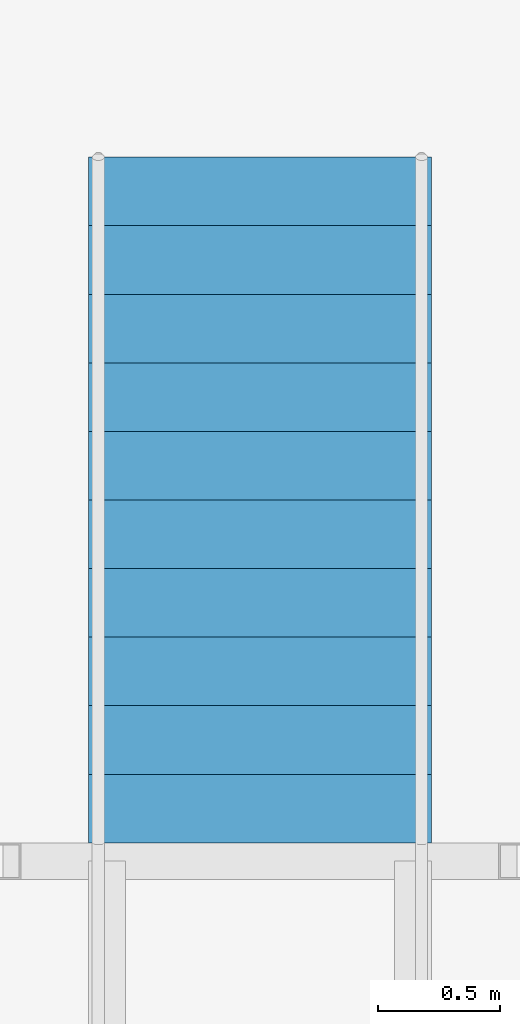
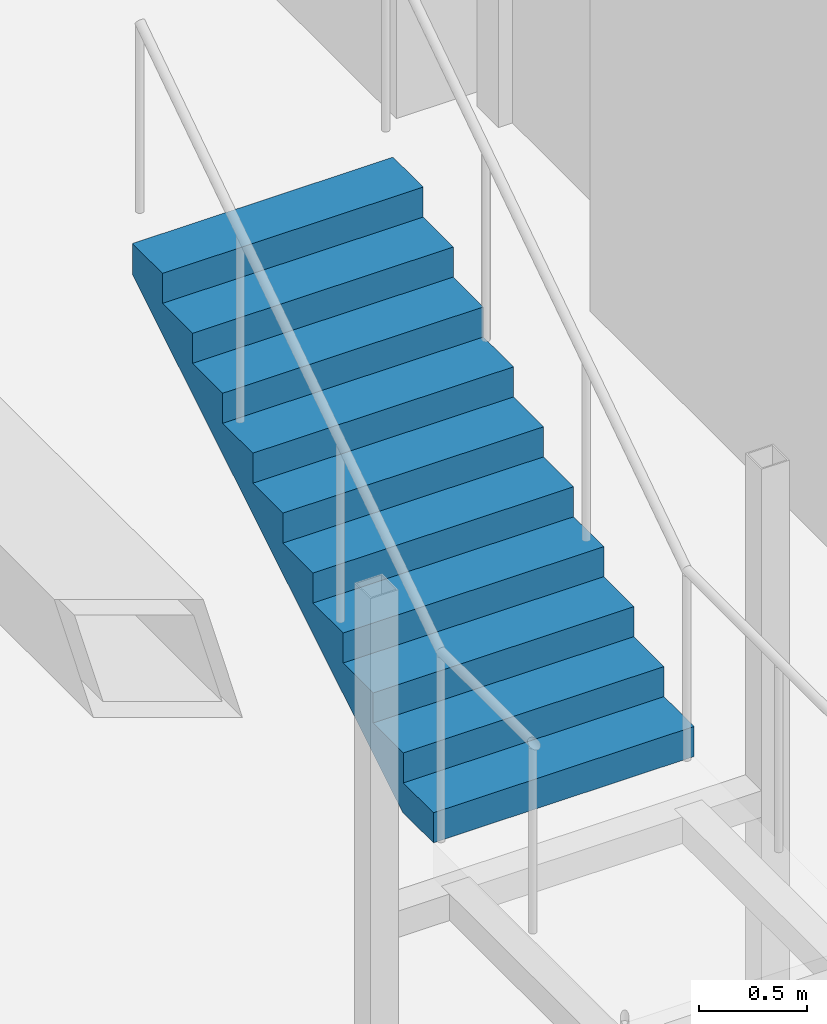
# One storey, part 24 of 25: 1 stair flight, 1 element without a shape of its own.
"""IFC4 building model written with IfcOpenShell, lengths in metres."""

from ifc_helpers import new_model, si_unit, direction, frame, origin, place, context, subcontext, project, spatial, triangles, material, type_object, element, aggregate, save


model = new_model("IFC4")

# Units and contexts
model_context = context("Model", 3, precision=1e-05, world=origin(), true_north=direction((0.0, 1.0)))
body_context = subcontext(model_context, "Body", "Model", "MODEL_VIEW")
ifc_project = project(units=[si_unit("LENGTHUNIT", "METRE"), si_unit("AREAUNIT", "SQUARE_METRE"), si_unit("VOLUMEUNIT", "CUBIC_METRE"), si_unit("PLANEANGLEUNIT", "RADIAN"), si_unit("MASSUNIT", "GRAM", prefix="KILO")], contexts=[model_context])

# Site, building, storey
site_placement = place(None, origin())
site = spatial("IfcSite", under=ifc_project, at=site_placement, CompositionType="ELEMENT")
building_placement = place(site_placement, origin())
building = spatial("IfcBuilding", under=site, at=building_placement, Name="Orbita Commons", CompositionType="ELEMENT")
storey_placement = place(building_placement, frame((0.0, 0.0, 99.39990234375)))
storey = spatial("IfcBuildingStorey", under=building, at=storey_placement, Name="L24", CompositionType="ELEMENT", Elevation=99.39990234375)

# Stair, stair flight
ifc_material_1 = material(Name="Steel ASTM A992 stringers, precast concrete C40/50 terrazzo treads", Category="concrete")
stair_type = type_object("IfcStairType", Name="Feature stair 22 risers 170 x 280 x 1400", PredefinedType="STRAIGHT_RUN_STAIR", material=ifc_material_1)
stair_placement = place(storey_placement, origin())
stair = element("IfcStair", 1, at=stair_placement, inside=storey, type_object=stair_type, Name="Neighbourhood stair L24 to L25", PredefinedType="STRAIGHT_RUN_STAIR")
ifc_material_2 = material(Name="Steel ASTM A992 stringers, precast concrete C40/50 terrazzo treads", Category="concrete")
stair_flight_type = type_object("IfcStairFlightType", Name="Feature stair flight 11 risers 170 x 1400", PredefinedType="STRAIGHT", material=ifc_material_2)
stair_flight_placement = place(storey_placement, frame((8.10009765625, 42.31005859375, 1.875), z_axis=(0.0, 0.0, 1.0), x_axis=(0.0, 1.0, 0.0)))
stair_flight = element("IfcStairFlight", 2, at=stair_flight_placement, type_object=stair_flight_type, Name="FS flight 2", NumberOfRisers=11, NumberOfTreads=10, PredefinedType="STRAIGHT", RiserHeight=0.170454545, TreadLength=0.28, context=body_context, shape_type="Tessellation", body=[
    triangles([(0.0, 0.699951, 0.0), (0.0, 0.699951, 0.021307), (0.0, 0.583293, 0.021307), (0.0, 0.583293, 0.0), (0.0, 0.466634, 0.021307), (0.0, 0.466634, 0.0), (0.0, 0.349976, 0.021307), (0.0, 0.349976, 0.0), (0.0, 0.233317, 0.021307), (0.0, 0.233317, 0.0), (0.0, 0.116659, 0.021307), (0.0, 0.116659, 0.0), (0.0, 0.0, 0.021307), (0.0, 0.0, 0.0), (0.0, -0.116659, 0.021307), (0.0, -0.116659, 0.0), (0.0, -0.233317, 0.021307), (0.0, -0.233317, 0.0), (0.0, -0.349976, 0.021307), (0.0, -0.349976, 0.0), (0.0, -0.466634, 0.021307), (0.0, -0.466634, 0.0), (0.0, -0.583293, 0.021307), (0.0, -0.583293, 0.0), (0.0, -0.699951, 0.021307), (0.0, -0.699951, 0.0), (0.0, 0.699951, 0.042614), (0.0, 0.583293, 0.042614), (0.0, 0.466634, 0.042614), (0.0, 0.349976, 0.042614), (0.0, 0.233317, 0.042614), (0.0, 0.116659, 0.042614), (0.0, 0.0, 0.042614), (0.0, -0.116659, 0.042614), (0.0, -0.233317, 0.042614), (0.0, -0.349976, 0.042614), (0.0, -0.466634, 0.042614), (0.0, -0.583293, 0.042614), (0.0, -0.699951, 0.042614), (0.0, 0.699951, 0.06392), (0.0, 0.583293, 0.06392), (0.0, 0.466634, 0.06392), (0.0, 0.349976, 0.06392), (0.0, 0.233317, 0.06392), (0.0, 0.116659, 0.06392), (0.0, 0.0, 0.06392), (0.0, -0.116659, 0.06392), (0.0, -0.233317, 0.06392), (0.0, -0.349976, 0.06392), (0.0, -0.466634, 0.06392), (0.0, -0.583293, 0.06392), (0.0, -0.699951, 0.06392), (0.0, 0.699951, 0.085227), (0.0, 0.583293, 0.085227), (0.0, 0.466634, 0.085227), (0.0, 0.349976, 0.085227), (0.0, 0.233317, 0.085227), (0.0, 0.116659, 0.085227), (0.0, 0.0, 0.085227), (0.0, -0.116659, 0.085227), (0.0, -0.233317, 0.085227), (0.0, -0.349976, 0.085227), (0.0, -0.466634, 0.085227), (0.0, -0.583293, 0.085227), (0.0, -0.699951, 0.085227), (0.0, 0.699951, 0.106534), (0.0, 0.583293, 0.106534), (0.0, 0.466634, 0.106534), (0.0, 0.349976, 0.106534), (0.0, 0.233317, 0.106534), (0.0, 0.116659, 0.106534), (0.0, 0.0, 0.106534), (0.0, -0.116659, 0.106534), (0.0, -0.233317, 0.106534), (0.0, -0.349976, 0.106534), (0.0, -0.466634, 0.106534), (0.0, -0.583293, 0.106534), (0.0, -0.699951, 0.106534), (0.0, 0.699951, 0.127841), (0.0, 0.583293, 0.127841), (0.0, 0.466634, 0.127841), (0.0, 0.349976, 0.127841), (0.0, 0.233317, 0.127841), (0.0, 0.116659, 0.127841), (0.0, 0.0, 0.127841), (0.0, -0.116659, 0.127841), (0.0, -0.233317, 0.127841), (0.0, -0.349976, 0.127841), (0.0, -0.466634, 0.127841), (0.0, -0.583293, 0.127841), (0.0, -0.699951, 0.127841), (0.0, 0.699951, 0.149148), (0.0, 0.583293, 0.149148), (0.0, 0.466634, 0.149148), (0.0, 0.349976, 0.149148), (0.0, 0.233317, 0.149148), (0.0, 0.116659, 0.149148), (0.0, 0.0, 0.149148), (0.0, -0.116659, 0.149148), (0.0, -0.233317, 0.149148), (0.0, -0.349976, 0.149148), (0.0, -0.466634, 0.149148), (0.0, -0.583293, 0.149148), (0.0, -0.699951, 0.149148), (0.0, 0.699951, 0.170455), (0.0, 0.583293, 0.170455), (0.0, 0.466634, 0.170455), (0.0, 0.349976, 0.170455), (0.0, 0.233317, 0.170455), (0.0, 0.116659, 0.170455), (0.0, 0.0, 0.170455), (0.0, -0.116659, 0.170455), (0.0, -0.233317, 0.170455), (0.0, -0.349976, 0.170455), (0.0, -0.466634, 0.170455), (0.0, -0.583293, 0.170455), (0.0, -0.699951, 0.170455), (0.28, 0.699951, 0.170455), (0.28, 0.583293, 0.170455), (0.28, 0.466634, 0.170455), (0.28, 0.349976, 0.170455), (0.28, 0.233317, 0.170455), (0.28, 0.116659, 0.170455), (0.28, 0.0, 0.170455), (0.28, -0.116659, 0.170455), (0.28, -0.233317, 0.170455), (0.28, -0.349976, 0.170455), (0.28, -0.466634, 0.170455), (0.28, -0.583293, 0.170455), (0.28, -0.699951, 0.170455), (0.28, 0.699951, 0.340909), (0.28, 0.583293, 0.340909), (0.28, 0.466634, 0.340909), (0.28, 0.349976, 0.340909), (0.28, 0.233317, 0.340909), (0.28, 0.116659, 0.340909), (0.28, 0.0, 0.340909), (0.28, -0.116659, 0.340909), (0.28, -0.233317, 0.340909), (0.28, -0.349976, 0.340909), (0.28, -0.466634, 0.340909), (0.28, -0.583293, 0.340909), (0.28, -0.699951, 0.340909), (0.56, 0.699951, 0.340909), (0.56, 0.583293, 0.340909), (0.56, 0.466634, 0.340909), (0.56, 0.349976, 0.340909), (0.56, 0.233317, 0.340909), (0.56, 0.116659, 0.340909), (0.56, 0.0, 0.340909), (0.56, -0.116659, 0.340909), (0.56, -0.233317, 0.340909), (0.56, -0.349976, 0.340909), (0.56, -0.466634, 0.340909), (0.56, -0.583293, 0.340909), (0.56, -0.699951, 0.340909), (0.56, 0.699951, 0.511364), (0.56, 0.583293, 0.511364), (0.56, 0.466634, 0.511364), (0.56, 0.349976, 0.511364), (0.56, 0.233317, 0.511364), (0.56, 0.116659, 0.511364), (0.56, 0.0, 0.511364), (0.56, -0.116659, 0.511364), (0.56, -0.233317, 0.511364), (0.56, -0.349976, 0.511364), (0.56, -0.466634, 0.511364), (0.56, -0.583293, 0.511364), (0.56, -0.699951, 0.511364), (0.84, 0.699951, 0.511364), (0.84, 0.583293, 0.511364), (0.84, 0.466634, 0.511364), (0.84, 0.349976, 0.511364), (0.84, 0.233317, 0.511364), (0.84, 0.116659, 0.511364), (0.84, 0.0, 0.511364), (0.84, -0.116659, 0.511364), (0.84, -0.233317, 0.511364), (0.84, -0.349976, 0.511364), (0.84, -0.466634, 0.511364), (0.84, -0.583293, 0.511364), (0.84, -0.699951, 0.511364), (0.84, 0.699951, 0.681818), (0.84, 0.583293, 0.681818), (0.84, 0.466634, 0.681818), (0.84, 0.349976, 0.681818), (0.84, 0.233317, 0.681818), (0.84, 0.116659, 0.681818), (0.84, 0.0, 0.681818), (0.84, -0.116659, 0.681818), (0.84, -0.233317, 0.681818), (0.84, -0.349976, 0.681818), (0.84, -0.466634, 0.681818), (0.84, -0.583293, 0.681818), (0.84, -0.699951, 0.681818), (1.12, 0.699951, 0.681818), (1.12, 0.583293, 0.681818), (1.12, 0.466634, 0.681818), (1.12, 0.349976, 0.681818), (1.12, 0.233317, 0.681818), (1.12, 0.116659, 0.681818), (1.12, 0.0, 0.681818), (1.12, -0.116659, 0.681818), (1.12, -0.233317, 0.681818), (1.12, -0.349976, 0.681818), (1.12, -0.466634, 0.681818), (1.12, -0.583293, 0.681818), (1.12, -0.699951, 0.681818), (1.12, 0.699951, 0.852273), (1.12, 0.583293, 0.852273), (1.12, 0.466634, 0.852273), (1.12, 0.349976, 0.852273), (1.12, 0.233317, 0.852273), (1.12, 0.116659, 0.852273), (1.12, 0.0, 0.852273), (1.12, -0.116659, 0.852273), (1.12, -0.233317, 0.852273), (1.12, -0.349976, 0.852273), (1.12, -0.466634, 0.852273), (1.12, -0.583293, 0.852273), (1.12, -0.699951, 0.852273), (1.4, 0.699951, 0.852273), (1.4, 0.583293, 0.852273), (1.4, 0.466634, 0.852273), (1.4, 0.349976, 0.852273), (1.4, 0.233317, 0.852273), (1.4, 0.116659, 0.852273), (1.4, 0.0, 0.852273), (1.4, -0.116659, 0.852273), (1.4, -0.233317, 0.852273), (1.4, -0.349976, 0.852273), (1.4, -0.466634, 0.852273), (1.4, -0.583293, 0.852273), (1.4, -0.699951, 0.852273), (1.4, 0.699951, 1.022727), (1.4, 0.583293, 1.022727), (1.4, 0.466634, 1.022727), (1.4, 0.349976, 1.022727), (1.4, 0.233317, 1.022727), (1.4, 0.116659, 1.022727), (1.4, 0.0, 1.022727), (1.4, -0.116659, 1.022727), (1.4, -0.233317, 1.022727), (1.4, -0.349976, 1.022727), (1.4, -0.466634, 1.022727), (1.4, -0.583293, 1.022727), (1.4, -0.699951, 1.022727), (1.68, 0.699951, 1.022727), (1.68, 0.583293, 1.022727), (1.68, 0.466634, 1.022727), (1.68, 0.349976, 1.022727), (1.68, 0.233317, 1.022727), (1.68, 0.116659, 1.022727), (1.68, 0.0, 1.022727), (1.68, -0.116659, 1.022727), (1.68, -0.233317, 1.022727), (1.68, -0.349976, 1.022727), (1.68, -0.466634, 1.022727), (1.68, -0.583293, 1.022727), (1.68, -0.699951, 1.022727), (1.68, 0.699951, 1.193182), (1.68, 0.583293, 1.193182), (1.68, 0.466634, 1.193182), (1.68, 0.349976, 1.193182), (1.68, 0.233317, 1.193182), (1.68, 0.116659, 1.193182), (1.68, 0.0, 1.193182), (1.68, -0.116659, 1.193182), (1.68, -0.233317, 1.193182), (1.68, -0.349976, 1.193182), (1.68, -0.466634, 1.193182), (1.68, -0.583293, 1.193182), (1.68, -0.699951, 1.193182), (1.96, 0.699951, 1.193182), (1.96, 0.583293, 1.193182), (1.96, 0.466634, 1.193182), (1.96, 0.349976, 1.193182), (1.96, 0.233317, 1.193182), (1.96, 0.116659, 1.193182), (1.96, 0.0, 1.193182), (1.96, -0.116659, 1.193182), (1.96, -0.233317, 1.193182), (1.96, -0.349976, 1.193182), (1.96, -0.466634, 1.193182), (1.96, -0.583293, 1.193182), (1.96, -0.699951, 1.193182), (1.96, 0.699951, 1.363636), (1.96, 0.583293, 1.363636), (1.96, 0.466634, 1.363636), (1.96, 0.349976, 1.363636), (1.96, 0.233317, 1.363636), (1.96, 0.116659, 1.363636), (1.96, 0.0, 1.363636), (1.96, -0.116659, 1.363636), (1.96, -0.233317, 1.363636), (1.96, -0.349976, 1.363636), (1.96, -0.466634, 1.363636), (1.96, -0.583293, 1.363636), (1.96, -0.699951, 1.363636), (2.24, 0.699951, 1.363636), (2.24, 0.583293, 1.363636), (2.24, 0.466634, 1.363636), (2.24, 0.349976, 1.363636), (2.24, 0.233317, 1.363636), (2.24, 0.116659, 1.363636), (2.24, 0.0, 1.363636), (2.24, -0.116659, 1.363636), (2.24, -0.233317, 1.363636), (2.24, -0.349976, 1.363636), (2.24, -0.466634, 1.363636), (2.24, -0.583293, 1.363636), (2.24, -0.699951, 1.363636), (2.24, 0.699951, 1.534091), (2.24, 0.583293, 1.534091), (2.24, 0.466634, 1.534091), (2.24, 0.349976, 1.534091), (2.24, 0.233317, 1.534091), (2.24, 0.116659, 1.534091), (2.24, 0.0, 1.534091), (2.24, -0.116659, 1.534091), (2.24, -0.233317, 1.534091), (2.24, -0.349976, 1.534091), (2.24, -0.466634, 1.534091), (2.24, -0.583293, 1.534091), (2.24, -0.699951, 1.534091), (2.52, 0.699951, 1.534091), (2.52, 0.583293, 1.534091), (2.52, 0.466634, 1.534091), (2.52, 0.349976, 1.534091), (2.52, 0.233317, 1.534091), (2.52, 0.116659, 1.534091), (2.52, 0.0, 1.534091), (2.52, -0.116659, 1.534091), (2.52, -0.233317, 1.534091), (2.52, -0.349976, 1.534091), (2.52, -0.466634, 1.534091), (2.52, -0.583293, 1.534091), (2.52, -0.699951, 1.534091), (2.52, 0.699951, 1.704545), (2.52, 0.583293, 1.704545), (2.52, 0.466634, 1.704545), (2.52, 0.349976, 1.704545), (2.52, 0.233317, 1.704545), (2.52, 0.116659, 1.704545), (2.52, 0.0, 1.704545), (2.52, -0.116659, 1.704545), (2.52, -0.233317, 1.704545), (2.52, -0.349976, 1.704545), (2.52, -0.466634, 1.704545), (2.52, -0.583293, 1.704545), (2.52, -0.699951, 1.704545), (2.8, 0.699951, 1.704545), (2.8, 0.583293, 1.704545), (2.8, 0.466634, 1.704545), (2.8, 0.349976, 1.704545), (2.8, 0.233317, 1.704545), (2.8, 0.116659, 1.704545), (2.8, 0.0, 1.704545), (2.8, -0.116659, 1.704545), (2.8, -0.233317, 1.704545), (2.8, -0.349976, 1.704545), (2.8, -0.466634, 1.704545), (2.8, -0.583293, 1.704545), (2.8, -0.699951, 1.704545), (2.8, 0.699951, 1.682609), (2.8, 0.583293, 1.682609), (2.8, 0.466634, 1.682609), (2.8, 0.349976, 1.682609), (2.8, 0.233317, 1.682609), (2.8, 0.116659, 1.682609), (2.8, 0.0, 1.682609), (2.8, -0.116659, 1.682609), (2.8, -0.233317, 1.682609), (2.8, -0.349976, 1.682609), (2.8, -0.466634, 1.682609), (2.8, -0.583293, 1.682609), (2.8, -0.699951, 1.682609), (2.8, 0.699951, 1.660672), (2.8, 0.583293, 1.660672), (2.8, 0.466634, 1.660672), (2.8, 0.349976, 1.660672), (2.8, 0.233317, 1.660672), (2.8, 0.116659, 1.660672), (2.8, 0.0, 1.660672), (2.8, -0.116659, 1.660672), (2.8, -0.233317, 1.660672), (2.8, -0.349976, 1.660672), (2.8, -0.466634, 1.660672), (2.8, -0.583293, 1.660672), (2.8, -0.699951, 1.660672), (2.8, 0.699951, 1.638735), (2.8, 0.583293, 1.638735), (2.8, 0.466634, 1.638735), (2.8, 0.349976, 1.638735), (2.8, 0.233317, 1.638735), (2.8, 0.116659, 1.638735), (2.8, 0.0, 1.638735), (2.8, -0.116659, 1.638735), (2.8, -0.233317, 1.638735), (2.8, -0.349976, 1.638735), (2.8, -0.466634, 1.638735), (2.8, -0.583293, 1.638735), (2.8, -0.699951, 1.638735), (2.8, 0.699951, 1.616798), (2.8, 0.583293, 1.616798), (2.8, 0.466634, 1.616798), (2.8, 0.349976, 1.616798), (2.8, 0.233317, 1.616798), (2.8, 0.116659, 1.616798), (2.8, 0.0, 1.616798), (2.8, -0.116659, 1.616798), (2.8, -0.233317, 1.616798), (2.8, -0.349976, 1.616798), (2.8, -0.466634, 1.616798), (2.8, -0.583293, 1.616798), (2.8, -0.699951, 1.616798), (2.8, 0.699951, 1.594861), (2.8, 0.583293, 1.594861), (2.8, 0.466634, 1.594861), (2.8, 0.349976, 1.594861), (2.8, 0.233317, 1.594861), (2.8, 0.116659, 1.594861), (2.8, 0.0, 1.594861), (2.8, -0.116659, 1.594861), (2.8, -0.233317, 1.594861), (2.8, -0.349976, 1.594861), (2.8, -0.466634, 1.594861), (2.8, -0.583293, 1.594861), (2.8, -0.699951, 1.594861), (2.8, 0.699951, 1.572925), (2.8, 0.583293, 1.572925), (2.8, 0.466634, 1.572925), (2.8, 0.349976, 1.572925), (2.8, 0.233317, 1.572925), (2.8, 0.116659, 1.572925), (2.8, 0.0, 1.572925), (2.8, -0.116659, 1.572925), (2.8, -0.233317, 1.572925), (2.8, -0.349976, 1.572925), (2.8, -0.466634, 1.572925), (2.8, -0.583293, 1.572925), (2.8, -0.699951, 1.572925), (2.8, 0.699951, 1.550988), (2.8, 0.583293, 1.550988), (2.8, 0.466634, 1.550988), (2.8, 0.349976, 1.550988), (2.8, 0.233317, 1.550988), (2.8, 0.116659, 1.550988), (2.8, 0.0, 1.550988), (2.8, -0.116659, 1.550988), (2.8, -0.233317, 1.550988), (2.8, -0.349976, 1.550988), (2.8, -0.466634, 1.550988), (2.8, -0.583293, 1.550988), (2.8, -0.699951, 1.550988), (2.8, 0.699951, 1.529051), (2.8, 0.583293, 1.529051), (2.8, 0.466634, 1.529051), (2.8, 0.349976, 1.529051), (2.8, 0.233317, 1.529051), (2.8, 0.116659, 1.529051), (2.8, 0.0, 1.529051), (2.8, -0.116659, 1.529051), (2.8, -0.233317, 1.529051), (2.8, -0.349976, 1.529051), (2.8, -0.466634, 1.529051), (2.8, -0.583293, 1.529051), (2.8, -0.699951, 1.529051), (0.288279, 0.699951, 0.0), (0.288279, 0.583293, 0.0), (0.288279, 0.466634, 0.0), (0.288279, 0.349976, 0.0), (0.288279, 0.233317, 0.0), (0.288279, 0.116659, 0.0), (0.288279, 0.0, 0.0), (0.288279, -0.116659, 0.0), (0.288279, -0.233317, 0.0), (0.288279, -0.349976, 0.0), (0.288279, -0.466634, 0.0), (0.288279, -0.583293, 0.0), (0.288279, -0.699951, 0.0)], [[3, 2, 1], [4, 3, 1], [5, 3, 4], [6, 5, 4], [7, 5, 6], [8, 7, 6], [9, 7, 8], [10, 9, 8], [11, 9, 10], [12, 11, 10], [13, 11, 12], [14, 13, 12], [15, 13, 14], [16, 15, 14], [17, 15, 16], [18, 17, 16], [19, 17, 18], [20, 19, 18], [21, 19, 20], [22, 21, 20], [23, 21, 22], [24, 23, 22], [25, 23, 24], [26, 25, 24], [28, 27, 2], [3, 28, 2], [29, 28, 3], [5, 29, 3], [30, 29, 5], [7, 30, 5], [31, 30, 7], [9, 31, 7], [32, 31, 9], [11, 32, 9], [33, 32, 11], [13, 33, 11], [34, 33, 13], [15, 34, 13], [35, 34, 15], [17, 35, 15], [36, 35, 17], [19, 36, 17], [37, 36, 19], [21, 37, 19], [38, 37, 21], [23, 38, 21], [39, 38, 23], [25, 39, 23], [41, 40, 27], [28, 41, 27], [42, 41, 28], [29, 42, 28], [43, 42, 29], [30, 43, 29], [44, 43, 30], [31, 44, 30], [45, 44, 31], [32, 45, 31], [46, 45, 32], [33, 46, 32], [47, 46, 33], [34, 47, 33], [48, 47, 34], [35, 48, 34], [49, 48, 35], [36, 49, 35], [50, 49, 36], [37, 50, 36], [51, 50, 37], [38, 51, 37], [52, 51, 38], [39, 52, 38], [54, 53, 40], [41, 54, 40], [55, 54, 41], [42, 55, 41], [56, 55, 42], [43, 56, 42], [57, 56, 43], [44, 57, 43], [58, 57, 44], [45, 58, 44], [59, 58, 45], [46, 59, 45], [60, 59, 46], [47, 60, 46], [61, 60, 47], [48, 61, 47], [62, 61, 48], [49, 62, 48], [63, 62, 49], [50, 63, 49], [64, 63, 50], [51, 64, 50], [65, 64, 51], [52, 65, 51], [67, 66, 53], [54, 67, 53], [68, 67, 54], [55, 68, 54], [69, 68, 55], [56, 69, 55], [70, 69, 56], [57, 70, 56], [71, 70, 57], [58, 71, 57], [72, 71, 58], [59, 72, 58], [73, 72, 59], [60, 73, 59], [74, 73, 60], [61, 74, 60], [75, 74, 61], [62, 75, 61], [76, 75, 62], [63, 76, 62], [77, 76, 63], [64, 77, 63], [78, 77, 64], [65, 78, 64], [80, 79, 66], [67, 80, 66], [81, 80, 67], [68, 81, 67], [82, 81, 68], [69, 82, 68], [83, 82, 69], [70, 83, 69], [84, 83, 70], [71, 84, 70], [85, 84, 71], [72, 85, 71], [86, 85, 72], [73, 86, 72], [87, 86, 73], [74, 87, 73], [88, 87, 74], [75, 88, 74], [89, 88, 75], [76, 89, 75], [90, 89, 76], [77, 90, 76], [91, 90, 77], [78, 91, 77], [93, 92, 79], [80, 93, 79], [94, 93, 80], [81, 94, 80], [95, 94, 81], [82, 95, 81], [96, 95, 82], [83, 96, 82], [97, 96, 83], [84, 97, 83], [98, 97, 84], [85, 98, 84], [99, 98, 85], [86, 99, 85], [100, 99, 86], [87, 100, 86], [101, 100, 87], [88, 101, 87], [102, 101, 88], [89, 102, 88], [103, 102, 89], [90, 103, 89], [104, 103, 90], [91, 104, 90], [106, 105, 92], [93, 106, 92], [107, 106, 93], [94, 107, 93], [108, 107, 94], [95, 108, 94], [109, 108, 95], [96, 109, 95], [110, 109, 96], [97, 110, 96], [111, 110, 97], [98, 111, 97], [112, 111, 98], [99, 112, 98], [113, 112, 99], [100, 113, 99], [114, 113, 100], [101, 114, 100], [115, 114, 101], [102, 115, 101], [116, 115, 102], [103, 116, 102], [117, 116, 103], [104, 117, 103], [119, 118, 105], [106, 119, 105], [120, 119, 106], [107, 120, 106], [121, 120, 107], [108, 121, 107], [122, 121, 108], [109, 122, 108], [123, 122, 109], [110, 123, 109], [124, 123, 110], [111, 124, 110], [125, 124, 111], [112, 125, 111], [126, 125, 112], [113, 126, 112], [127, 126, 113], [114, 127, 113], [128, 127, 114], [115, 128, 114], [129, 128, 115], [116, 129, 115], [130, 129, 116], [117, 130, 116], [132, 131, 118], [119, 132, 118], [133, 132, 119], [120, 133, 119], [134, 133, 120], [121, 134, 120], [135, 134, 121], [122, 135, 121], [136, 135, 122], [123, 136, 122], [137, 136, 123], [124, 137, 123], [138, 137, 124], [125, 138, 124], [139, 138, 125], [126, 139, 125], [140, 139, 126], [127, 140, 126], [141, 140, 127], [128, 141, 127], [142, 141, 128], [129, 142, 128], [143, 142, 129], [130, 143, 129], [145, 144, 131], [132, 145, 131], [146, 145, 132], [133, 146, 132], [147, 146, 133], [134, 147, 133], [148, 147, 134], [135, 148, 134], [149, 148, 135], [136, 149, 135], [150, 149, 136], [137, 150, 136], [151, 150, 137], [138, 151, 137], [152, 151, 138], [139, 152, 138], [153, 152, 139], [140, 153, 139], [154, 153, 140], [141, 154, 140], [155, 154, 141], [142, 155, 141], [156, 155, 142], [143, 156, 142], [158, 157, 144], [145, 158, 144], [159, 158, 145], [146, 159, 145], [160, 159, 146], [147, 160, 146], [161, 160, 147], [148, 161, 147], [162, 161, 148], [149, 162, 148], [163, 162, 149], [150, 163, 149], [164, 163, 150], [151, 164, 150], [165, 164, 151], [152, 165, 151], [166, 165, 152], [153, 166, 152], [167, 166, 153], [154, 167, 153], [168, 167, 154], [155, 168, 154], [169, 168, 155], [156, 169, 155], [171, 170, 157], [158, 171, 157], [172, 171, 158], [159, 172, 158], [173, 172, 159], [160, 173, 159], [174, 173, 160], [161, 174, 160], [175, 174, 161], [162, 175, 161], [176, 175, 162], [163, 176, 162], [177, 176, 163], [164, 177, 163], [178, 177, 164], [165, 178, 164], [179, 178, 165], [166, 179, 165], [180, 179, 166], [167, 180, 166], [181, 180, 167], [168, 181, 167], [182, 181, 168], [169, 182, 168], [184, 183, 170], [171, 184, 170], [185, 184, 171], [172, 185, 171], [186, 185, 172], [173, 186, 172], [187, 186, 173], [174, 187, 173], [188, 187, 174], [175, 188, 174], [189, 188, 175], [176, 189, 175], [190, 189, 176], [177, 190, 176], [191, 190, 177], [178, 191, 177], [192, 191, 178], [179, 192, 178], [193, 192, 179], [180, 193, 179], [194, 193, 180], [181, 194, 180], [195, 194, 181], [182, 195, 181], [197, 196, 183], [184, 197, 183], [198, 197, 184], [185, 198, 184], [199, 198, 185], [186, 199, 185], [200, 199, 186], [187, 200, 186], [201, 200, 187], [188, 201, 187], [202, 201, 188], [189, 202, 188], [203, 202, 189], [190, 203, 189], [204, 203, 190], [191, 204, 190], [205, 204, 191], [192, 205, 191], [206, 205, 192], [193, 206, 192], [207, 206, 193], [194, 207, 193], [208, 207, 194], [195, 208, 194], [210, 209, 196], [197, 210, 196], [211, 210, 197], [198, 211, 197], [212, 211, 198], [199, 212, 198], [213, 212, 199], [200, 213, 199], [214, 213, 200], [201, 214, 200], [215, 214, 201], [202, 215, 201], [216, 215, 202], [203, 216, 202], [217, 216, 203], [204, 217, 203], [218, 217, 204], [205, 218, 204], [219, 218, 205], [206, 219, 205], [220, 219, 206], [207, 220, 206], [221, 220, 207], [208, 221, 207], [223, 222, 209], [210, 223, 209], [224, 223, 210], [211, 224, 210], [225, 224, 211], [212, 225, 211], [226, 225, 212], [213, 226, 212], [227, 226, 213], [214, 227, 213], [228, 227, 214], [215, 228, 214], [229, 228, 215], [216, 229, 215], [230, 229, 216], [217, 230, 216], [231, 230, 217], [218, 231, 217], [232, 231, 218], [219, 232, 218], [233, 232, 219], [220, 233, 219], [234, 233, 220], [221, 234, 220], [236, 235, 222], [223, 236, 222], [237, 236, 223], [224, 237, 223], [238, 237, 224], [225, 238, 224], [239, 238, 225], [226, 239, 225], [240, 239, 226], [227, 240, 226], [241, 240, 227], [228, 241, 227], [242, 241, 228], [229, 242, 228], [243, 242, 229], [230, 243, 229], [244, 243, 230], [231, 244, 230], [245, 244, 231], [232, 245, 231], [246, 245, 232], [233, 246, 232], [247, 246, 233], [234, 247, 233], [249, 248, 235], [236, 249, 235], [250, 249, 236], [237, 250, 236], [251, 250, 237], [238, 251, 237], [252, 251, 238], [239, 252, 238], [253, 252, 239], [240, 253, 239], [254, 253, 240], [241, 254, 240], [255, 254, 241], [242, 255, 241], [256, 255, 242], [243, 256, 242], [257, 256, 243], [244, 257, 243], [258, 257, 244], [245, 258, 244], [259, 258, 245], [246, 259, 245], [260, 259, 246], [247, 260, 246], [262, 261, 248], [249, 262, 248], [263, 262, 249], [250, 263, 249], [264, 263, 250], [251, 264, 250], [265, 264, 251], [252, 265, 251], [266, 265, 252], [253, 266, 252], [267, 266, 253], [254, 267, 253], [268, 267, 254], [255, 268, 254], [269, 268, 255], [256, 269, 255], [270, 269, 256], [257, 270, 256], [271, 270, 257], [258, 271, 257], [272, 271, 258], [259, 272, 258], [273, 272, 259], [260, 273, 259], [275, 274, 261], [262, 275, 261], [276, 275, 262], [263, 276, 262], [277, 276, 263], [264, 277, 263], [278, 277, 264], [265, 278, 264], [279, 278, 265], [266, 279, 265], [280, 279, 266], [267, 280, 266], [281, 280, 267], [268, 281, 267], [282, 281, 268], [269, 282, 268], [283, 282, 269], [270, 283, 269], [284, 283, 270], [271, 284, 270], [285, 284, 271], [272, 285, 271], [286, 285, 272], [273, 286, 272], [288, 287, 274], [275, 288, 274], [289, 288, 275], [276, 289, 275], [290, 289, 276], [277, 290, 276], [291, 290, 277], [278, 291, 277], [292, 291, 278], [279, 292, 278], [293, 292, 279], [280, 293, 279], [294, 293, 280], [281, 294, 280], [295, 294, 281], [282, 295, 281], [296, 295, 282], [283, 296, 282], [297, 296, 283], [284, 297, 283], [298, 297, 284], [285, 298, 284], [299, 298, 285], [286, 299, 285], [301, 300, 287], [288, 301, 287], [302, 301, 288], [289, 302, 288], [303, 302, 289], [290, 303, 289], [304, 303, 290], [291, 304, 290], [305, 304, 291], [292, 305, 291], [306, 305, 292], [293, 306, 292], [307, 306, 293], [294, 307, 293], [308, 307, 294], [295, 308, 294], [309, 308, 295], [296, 309, 295], [310, 309, 296], [297, 310, 296], [311, 310, 297], [298, 311, 297], [312, 311, 298], [299, 312, 298], [314, 313, 300], [301, 314, 300], [315, 314, 301], [302, 315, 301], [316, 315, 302], [303, 316, 302], [317, 316, 303], [304, 317, 303], [318, 317, 304], [305, 318, 304], [319, 318, 305], [306, 319, 305], [320, 319, 306], [307, 320, 306], [321, 320, 307], [308, 321, 307], [322, 321, 308], [309, 322, 308], [323, 322, 309], [310, 323, 309], [324, 323, 310], [311, 324, 310], [325, 324, 311], [312, 325, 311], [327, 326, 313], [314, 327, 313], [328, 327, 314], [315, 328, 314], [329, 328, 315], [316, 329, 315], [330, 329, 316], [317, 330, 316], [331, 330, 317], [318, 331, 317], [332, 331, 318], [319, 332, 318], [333, 332, 319], [320, 333, 319], [334, 333, 320], [321, 334, 320], [335, 334, 321], [322, 335, 321], [336, 335, 322], [323, 336, 322], [337, 336, 323], [324, 337, 323], [338, 337, 324], [325, 338, 324], [340, 339, 326], [327, 340, 326], [341, 340, 327], [328, 341, 327], [342, 341, 328], [329, 342, 328], [343, 342, 329], [330, 343, 329], [344, 343, 330], [331, 344, 330], [345, 344, 331], [332, 345, 331], [346, 345, 332], [333, 346, 332], [347, 346, 333], [334, 347, 333], [348, 347, 334], [335, 348, 334], [349, 348, 335], [336, 349, 335], [350, 349, 336], [337, 350, 336], [351, 350, 337], [338, 351, 337], [353, 352, 339], [340, 353, 339], [354, 353, 340], [341, 354, 340], [355, 354, 341], [342, 355, 341], [356, 355, 342], [343, 356, 342], [357, 356, 343], [344, 357, 343], [358, 357, 344], [345, 358, 344], [359, 358, 345], [346, 359, 345], [360, 359, 346], [347, 360, 346], [361, 360, 347], [348, 361, 347], [362, 361, 348], [349, 362, 348], [363, 362, 349], [350, 363, 349], [364, 363, 350], [351, 364, 350], [366, 365, 352], [353, 366, 352], [367, 366, 353], [354, 367, 353], [368, 367, 354], [355, 368, 354], [369, 368, 355], [356, 369, 355], [370, 369, 356], [357, 370, 356], [371, 370, 357], [358, 371, 357], [372, 371, 358], [359, 372, 358], [373, 372, 359], [360, 373, 359], [374, 373, 360], [361, 374, 360], [375, 374, 361], [362, 375, 361], [376, 375, 362], [363, 376, 362], [377, 376, 363], [364, 377, 363], [379, 378, 365], [366, 379, 365], [380, 379, 366], [367, 380, 366], [381, 380, 367], [368, 381, 367], [382, 381, 368], [369, 382, 368], [383, 382, 369], [370, 383, 369], [384, 383, 370], [371, 384, 370], [385, 384, 371], [372, 385, 371], [386, 385, 372], [373, 386, 372], [387, 386, 373], [374, 387, 373], [388, 387, 374], [375, 388, 374], [389, 388, 375], [376, 389, 375], [390, 389, 376], [377, 390, 376], [392, 391, 378], [379, 392, 378], [393, 392, 379], [380, 393, 379], [394, 393, 380], [381, 394, 380], [395, 394, 381], [382, 395, 381], [396, 395, 382], [383, 396, 382], [397, 396, 383], [384, 397, 383], [398, 397, 384], [385, 398, 384], [399, 398, 385], [386, 399, 385], [400, 399, 386], [387, 400, 386], [401, 400, 387], [388, 401, 387], [402, 401, 388], [389, 402, 388], [403, 402, 389], [390, 403, 389], [405, 404, 391], [392, 405, 391], [406, 405, 392], [393, 406, 392], [407, 406, 393], [394, 407, 393], [408, 407, 394], [395, 408, 394], [409, 408, 395], [396, 409, 395], [410, 409, 396], [397, 410, 396], [411, 410, 397], [398, 411, 397], [412, 411, 398], [399, 412, 398], [413, 412, 399], [400, 413, 399], [414, 413, 400], [401, 414, 400], [415, 414, 401], [402, 415, 401], [416, 415, 402], [403, 416, 402], [418, 417, 404], [405, 418, 404], [419, 418, 405], [406, 419, 405], [420, 419, 406], [407, 420, 406], [421, 420, 407], [408, 421, 407], [422, 421, 408], [409, 422, 408], [423, 422, 409], [410, 423, 409], [424, 423, 410], [411, 424, 410], [425, 424, 411], [412, 425, 411], [426, 425, 412], [413, 426, 412], [427, 426, 413], [414, 427, 413], [428, 427, 414], [415, 428, 414], [429, 428, 415], [416, 429, 415], [431, 430, 417], [418, 431, 417], [432, 431, 418], [419, 432, 418], [433, 432, 419], [420, 433, 419], [434, 433, 420], [421, 434, 420], [435, 434, 421], [422, 435, 421], [436, 435, 422], [423, 436, 422], [437, 436, 423], [424, 437, 423], [438, 437, 424], [425, 438, 424], [439, 438, 425], [426, 439, 425], [440, 439, 426], [427, 440, 426], [441, 440, 427], [428, 441, 427], [442, 441, 428], [429, 442, 428], [444, 443, 430], [431, 444, 430], [445, 444, 431], [432, 445, 431], [446, 445, 432], [433, 446, 432], [447, 446, 433], [434, 447, 433], [448, 447, 434], [435, 448, 434], [449, 448, 435], [436, 449, 435], [450, 449, 436], [437, 450, 436], [451, 450, 437], [438, 451, 437], [452, 451, 438], [439, 452, 438], [453, 452, 439], [440, 453, 439], [454, 453, 440], [441, 454, 440], [455, 454, 441], [442, 455, 441], [457, 456, 443], [444, 457, 443], [458, 457, 444], [445, 458, 444], [459, 458, 445], [446, 459, 445], [460, 459, 446], [447, 460, 446], [461, 460, 447], [448, 461, 447], [462, 461, 448], [449, 462, 448], [463, 462, 449], [450, 463, 449], [464, 463, 450], [451, 464, 450], [465, 464, 451], [452, 465, 451], [466, 465, 452], [453, 466, 452], [467, 466, 453], [454, 467, 453], [468, 467, 454], [455, 468, 454], [470, 469, 456], [457, 470, 456], [471, 470, 457], [458, 471, 457], [472, 471, 458], [459, 472, 458], [473, 472, 459], [460, 473, 459], [474, 473, 460], [461, 474, 460], [475, 474, 461], [462, 475, 461], [476, 475, 462], [463, 476, 462], [477, 476, 463], [464, 477, 463], [478, 477, 464], [465, 478, 464], [479, 478, 465], [466, 479, 465], [480, 479, 466], [467, 480, 466], [481, 480, 467], [468, 481, 467], [4, 1, 469], [470, 4, 469], [6, 4, 470], [471, 6, 470], [8, 6, 471], [472, 8, 471], [10, 8, 472], [473, 10, 472], [12, 10, 473], [474, 12, 473], [14, 12, 474], [475, 14, 474], [16, 14, 475], [476, 16, 475], [18, 16, 476], [477, 18, 476], [20, 18, 477], [478, 20, 477], [22, 20, 478], [479, 22, 478], [24, 22, 479], [480, 24, 479], [26, 24, 480], [481, 26, 480], [456, 469, 1], [26, 481, 468], [443, 456, 1], [26, 468, 455], [430, 443, 1], [26, 455, 442], [417, 430, 1], [26, 442, 429], [404, 417, 1], [26, 429, 416], [391, 404, 1], [26, 416, 403], [378, 391, 1], [26, 403, 390], [365, 378, 1], [26, 390, 377], [339, 352, 365], [377, 364, 351], [326, 339, 365], [377, 351, 338], [300, 313, 326], [338, 325, 312], [300, 326, 365], [377, 338, 312], [274, 287, 300], [312, 299, 286], [274, 300, 365], [377, 312, 286], [248, 261, 274], [286, 273, 260], [248, 274, 365], [377, 286, 260], [222, 235, 248], [260, 247, 234], [222, 248, 365], [377, 260, 234], [196, 209, 222], [234, 221, 208], [196, 222, 365], [377, 234, 208], [170, 183, 196], [208, 195, 182], [170, 196, 365], [377, 208, 182], [144, 157, 170], [182, 169, 156], [144, 170, 365], [377, 182, 156], [118, 131, 144], [156, 143, 130], [118, 144, 365], [377, 156, 130], [118, 365, 1], [26, 377, 130], [92, 105, 118], [130, 117, 104], [79, 92, 118], [130, 104, 91], [66, 79, 118], [130, 91, 78], [53, 66, 118], [130, 78, 65], [40, 53, 118], [130, 65, 52], [27, 40, 118], [130, 52, 39], [2, 27, 118], [130, 39, 25], [1, 2, 118], [130, 25, 26]], closed=True),
])
aggregate(stair, [stair_flight])

save(model, "model.ifc")
